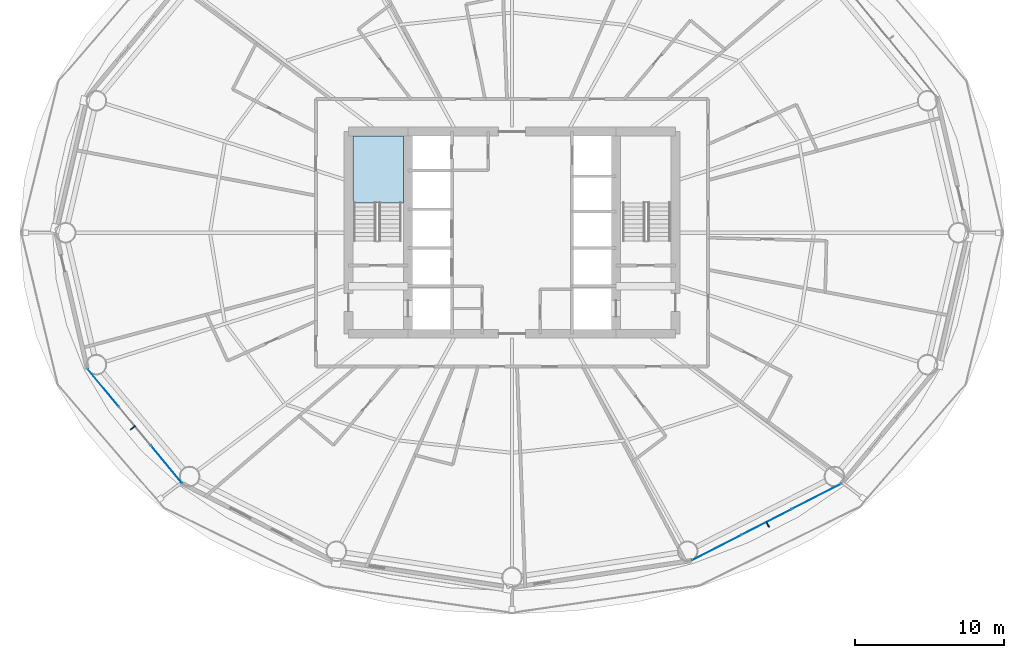
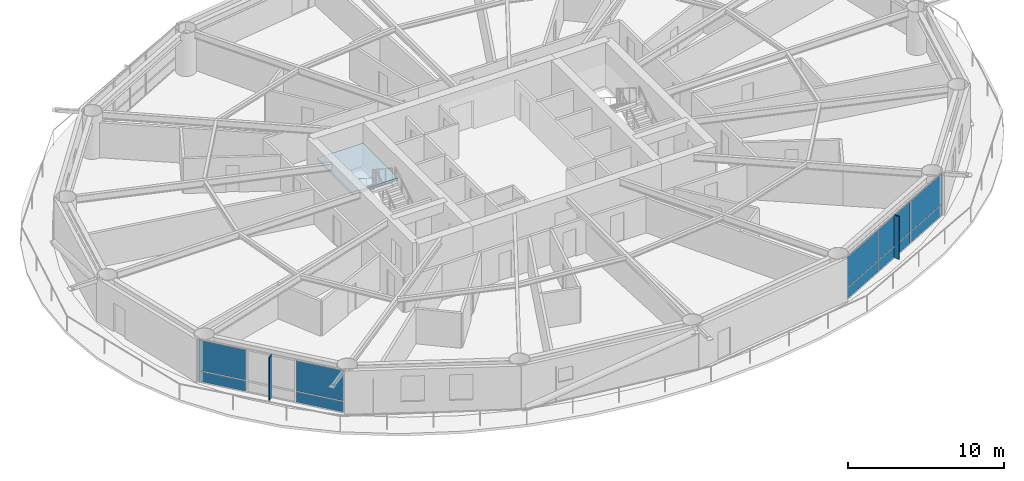
# One storey, part 16 of 26: 12 plates, 1 slab, 3 elements without a shape of their own.
"""IFC4 building model written with IfcOpenShell, lengths in metres."""

from ifc_helpers import new_model, si_unit, direction, frame, origin, origin_2d, place, context, subcontext, project, spatial, polyline, rectangle, outline, extrude, material, layer, layer_set, type_object, element, aggregate, save


model = new_model("IFC4")

# Units and contexts
model_context = context("Model", 3, precision=1e-05, world=origin(), true_north=direction((0.0, 1.0)))
body_context = subcontext(model_context, "Body", "Model", "MODEL_VIEW")
ifc_project = project(units=[si_unit("LENGTHUNIT", "METRE"), si_unit("AREAUNIT", "SQUARE_METRE"), si_unit("VOLUMEUNIT", "CUBIC_METRE"), si_unit("PLANEANGLEUNIT", "RADIAN"), si_unit("MASSUNIT", "GRAM", prefix="KILO")], contexts=[model_context])

# Site, building, storey
site_placement = place(None, origin())
site = spatial("IfcSite", under=ifc_project, at=site_placement, CompositionType="ELEMENT")
building_placement = place(site_placement, origin())
building = spatial("IfcBuilding", under=site, at=building_placement, Name="Sarneth Arch Tower", CompositionType="ELEMENT")
storey_placement = place(building_placement, frame((0.0, 0.0, 39.0)))
storey = spatial("IfcBuildingStorey", under=building, at=storey_placement, Name="L08", CompositionType="ELEMENT", Elevation=39.0)

# Curtain wall, plates
ifc_material_1 = material(Name="Anodised aluminium Type AA25 and solar-control low-e laminated IGU", Category="aluminium")
ifc_layer_1 = layer(ifc_material_1, 0.159912109375)
ifc_layer_set_1 = layer_set([ifc_layer_1], Name="Anodised aluminium Type AA25 and solar-control low-e laminated IGU")
curtain_wall_type = type_object("IfcCurtainWallType", Name="CW-HOTEL-LOW", PredefinedType="NOTDEFINED", material=ifc_layer_set_1)
curtain_wall_1_placement = place(storey_placement, origin())
curtain_wall_1 = element("IfcCurtainWall", 1, at=curtain_wall_1_placement, inside=storey, type_object=curtain_wall_type, Name="L08 Unitised curtain wall facet 10", PredefinedType="NOTDEFINED")
ifc_material_2 = material(Name="Solar-control low-e laminated IGU", Category="glass")
ifc_layer_2 = layer(ifc_material_2, 0.028076171875)
ifc_layer_set_2 = layer_set([ifc_layer_2], Name="Solar-control low-e laminated IGU")
plate_type_1 = type_object("IfcPlateType", Name="CW-PANEL", PredefinedType="CURTAIN_PANEL", material=ifc_layer_set_2)
plate_1_placement = place(storey_placement, frame((20.496337890625, 31.558837890625, 0.06005859375), z_axis=(0.0, 0.0, 1.0), x_axis=(0.637291340827, -0.770622960278, 0.0)))
plate_1 = element("IfcPlate", 2, at=plate_1_placement, type_object=plate_type_1, Name="Curtain wall glazed vision pane CW-L08-F10/P00-00", PredefinedType="CURTAIN_PANEL", context=body_context, shape_type="SweptSolid", body=[
    extrude(rectangle(XDim=3.260986328125, YDim=0.028076171875, at=origin_2d()), origin(), (0.0, 0.0, 1.0), 0.81005859375),
])
plate_2_placement = place(storey_placement, frame((20.496337890625, 31.558837890625, 0.93017578125), z_axis=(0.0, 0.0, 1.0), x_axis=(0.637291340827, -0.770622960278, 0.0)))
plate_2 = element("IfcPlate", 3, at=plate_2_placement, type_object=plate_type_1, Name="Curtain wall glazed vision pane CW-L08-F10/P00-01", PredefinedType="CURTAIN_PANEL", context=body_context, shape_type="SweptSolid", body=[
    extrude(rectangle(XDim=3.260986328125, YDim=0.028076171875, at=origin_2d()), origin(), (0.0, 0.0, 1.0), 2.389892578125),
])
plate_3_placement = place(storey_placement, frame((24.74853515625, 26.4169921875, 0.06005859375), z_axis=(0.0, 0.0, 1.0), x_axis=(0.637291340827, -0.770622960278, 0.0)))
plate_3 = element("IfcPlate", 4, at=plate_3_placement, type_object=plate_type_1, Name="Curtain wall glazed vision pane CW-L08-F10/P02-00", PredefinedType="CURTAIN_PANEL", context=body_context, shape_type="SweptSolid", body=[
    extrude(rectangle(XDim=3.260986328125, YDim=0.028076171875, at=origin_2d()), origin(), (0.0, 0.0, 1.0), 0.81005859375),
])
plate_4_placement = place(storey_placement, frame((24.74853515625, 26.4169921875, 0.93017578125), z_axis=(0.0, 0.0, 1.0), x_axis=(0.637291340827, -0.770622960278, 0.0)))
plate_4 = element("IfcPlate", 5, at=plate_4_placement, type_object=plate_type_1, Name="Curtain wall glazed vision pane CW-L08-F10/P02-01", PredefinedType="CURTAIN_PANEL", context=body_context, shape_type="SweptSolid", body=[
    extrude(rectangle(XDim=3.260986328125, YDim=0.028076171875, at=origin_2d()), origin(), (0.0, 0.0, 1.0), 2.389892578125),
])
aggregate(curtain_wall_1, [plate_1, plate_2, plate_3, plate_4])

curtain_wall_2_placement = place(storey_placement, origin())
curtain_wall_2 = element("IfcCurtainWall", 6, at=curtain_wall_2_placement, inside=storey, type_object=curtain_wall_type, Name="L08 Unitised curtain wall facet 14", PredefinedType="NOTDEFINED")
plate_5_placement = place(storey_placement, frame((61.77392578125, 20.807373046875, 0.06005859375), z_axis=(0.0, 0.0, 1.0), x_axis=(0.889854100456, 0.456245197127, 0.0)))
plate_5 = element("IfcPlate", 7, at=plate_5_placement, type_object=plate_type_1, Name="Curtain wall glazed vision pane CW-L08-F14/P00-00", PredefinedType="CURTAIN_PANEL", context=body_context, shape_type="SweptSolid", body=[
    extrude(rectangle(XDim=3.69189453125, YDim=0.028076171875, at=origin_2d()), origin(), (0.0, 0.0, 1.0), 0.81005859375),
])
plate_6_placement = place(storey_placement, frame((61.77392578125, 20.807373046875, 0.93017578125), z_axis=(0.0, 0.0, 1.0), x_axis=(0.889854100456, 0.456245197127, 0.0)))
plate_6 = element("IfcPlate", 8, at=plate_6_placement, type_object=plate_type_1, Name="Curtain wall glazed vision pane CW-L08-F14/P00-01", PredefinedType="CURTAIN_PANEL", context=body_context, shape_type="SweptSolid", body=[
    extrude(rectangle(XDim=3.69189453125, YDim=0.028076171875, at=origin_2d()), origin(), (0.0, 0.0, 1.0), 2.389892578125),
])
plate_7_placement = place(storey_placement, frame((65.1259765625, 22.526123046875, 0.06005859375), z_axis=(0.0, 0.0, 1.0), x_axis=(0.889854100456, 0.456245197127, 0.0)))
plate_7 = element("IfcPlate", 9, at=plate_7_placement, type_object=plate_type_1, Name="Curtain wall glazed vision pane CW-L08-F14/P01-00", PredefinedType="CURTAIN_PANEL", context=body_context, shape_type="SweptSolid", body=[
    extrude(rectangle(XDim=3.721923828125, YDim=0.028076171875, at=origin_2d()), origin(), (0.0, 0.0, 1.0), 0.81005859375),
])
plate_8_placement = place(storey_placement, frame((65.1259765625, 22.526123046875, 0.93017578125), z_axis=(0.0, 0.0, 1.0), x_axis=(0.889854100456, 0.456245197127, 0.0)))
plate_8 = element("IfcPlate", 10, at=plate_8_placement, type_object=plate_type_1, Name="Curtain wall glazed vision pane CW-L08-F14/P01-01", PredefinedType="CURTAIN_PANEL", context=body_context, shape_type="SweptSolid", body=[
    extrude(rectangle(XDim=3.721923828125, YDim=0.028076171875, at=origin_2d()), origin(), (0.0, 0.0, 1.0), 2.389892578125),
])
plate_9_placement = place(storey_placement, frame((68.47802734375, 24.24462890625, 0.06005859375), z_axis=(0.0, 0.0, 1.0), x_axis=(0.889854100456, 0.456245197127, 0.0)))
plate_9 = element("IfcPlate", 11, at=plate_9_placement, type_object=plate_type_1, Name="Curtain wall glazed vision pane CW-L08-F14/P02-00", PredefinedType="CURTAIN_PANEL", context=body_context, shape_type="SweptSolid", body=[
    extrude(rectangle(XDim=3.69189453125, YDim=0.028076171875, at=origin_2d()), origin(), (0.0, 0.0, 1.0), 0.81005859375),
])
plate_10_placement = place(storey_placement, frame((68.47802734375, 24.24462890625, 0.93017578125), z_axis=(0.0, 0.0, 1.0), x_axis=(0.889854100456, 0.456245197127, 0.0)))
plate_10 = element("IfcPlate", 12, at=plate_10_placement, type_object=plate_type_1, Name="Curtain wall glazed vision pane CW-L08-F14/P02-01", PredefinedType="CURTAIN_PANEL", context=body_context, shape_type="SweptSolid", body=[
    extrude(rectangle(XDim=3.69189453125, YDim=0.028076171875, at=origin_2d()), origin(), (0.0, 0.0, 1.0), 2.389892578125),
])
aggregate(curtain_wall_2, [plate_5, plate_6, plate_7, plate_8, plate_9, plate_10])

# Plates
ifc_material_3 = material(Name="Extruded glazed terracotta baguette fin on Aluminium 6063-T6 carrier", Category="masonry")
ifc_layer_3 = layer(ifc_material_3, 0.080078125)
ifc_layer_set_3 = layer_set([ifc_layer_3], Name="Extruded glazed terracotta baguette fin on Aluminium 6063-T6 carrier")
plate_type_2 = type_object("IfcPlateType", Name="SHADE-TERRA-FIN", PredefinedType="SHEET", material=ifc_layer_set_3)
for number, where, z_axis, x_axis, name in (
    (13, (22.491455078125, 28.879638671875, 0.009765625), (0.0, 0.0, 1.0), (-0.770624482513, -0.637289500111, 0.0), "L08 Terracotta vertical shading fin 10"),
    (14, (65.20361328125, 22.374755859375, 0.009765625), (0.0, 0.0, 1.0), (0.4563215909, -0.889814927768, 0.0), "L08 Terracotta vertical shading fin 14"),
):
    element("IfcPlate", number, at=place(storey_placement, frame(where, z_axis=z_axis, x_axis=x_axis)), inside=storey, type_object=plate_type_2, Name=name, PredefinedType="SHEET", context=body_context, shape_type="SweptSolid", body=[
        extrude(rectangle(XDim=0.419921875, YDim=0.080078125, at=origin_2d()), origin(), (0.0, 0.0, 1.0), 3.360107421875),
    ])

# Stair, slab
ifc_material_4 = material(Name="Concrete C50/60", Category="concrete")
stair_type = type_object("IfcStairType", Name="STAIR-CORE-RC", PredefinedType="HALF_TURN_STAIR", material=ifc_material_4)
stair_placement = place(storey_placement, origin())
stair = element("IfcStair", 15, at=stair_placement, inside=storey, type_object=stair_type, Name="L08 Core Exit Stair 1", PredefinedType="HALF_TURN_STAIR")
ifc_material_5 = material(Name="Concrete C50/60", Category="concrete")
ifc_layer_4 = layer(ifc_material_5, 0.199951171875)
ifc_layer_set_4 = layer_set([ifc_layer_4], Name="Concrete C50/60")
slab_type = type_object("IfcSlabType", Name="SLAB-LANDING-200", PredefinedType="LANDING", material=ifc_layer_set_4)
slab_placement = place(storey_placement, frame((0.0, 0.0, 1.60009765625)))
slab = element("IfcSlab", 16, at=slab_placement, type_object=slab_type, Name="ST-1 landing 1", PredefinedType="LANDING", context=body_context, shape_type="SweptSolid", body=[
    extrude(outline(polyline([(37.300048828125, 43.985107421875), (40.699951171875, 43.985107421875), (40.699951171875, 48.5), (37.300048828125, 48.5), (37.300048828125, 43.985107421875)])), origin(), (0.0, 0.0, 1.0), 0.199951171875),
])
aggregate(stair, [slab])

save(model, "model.ifc")
